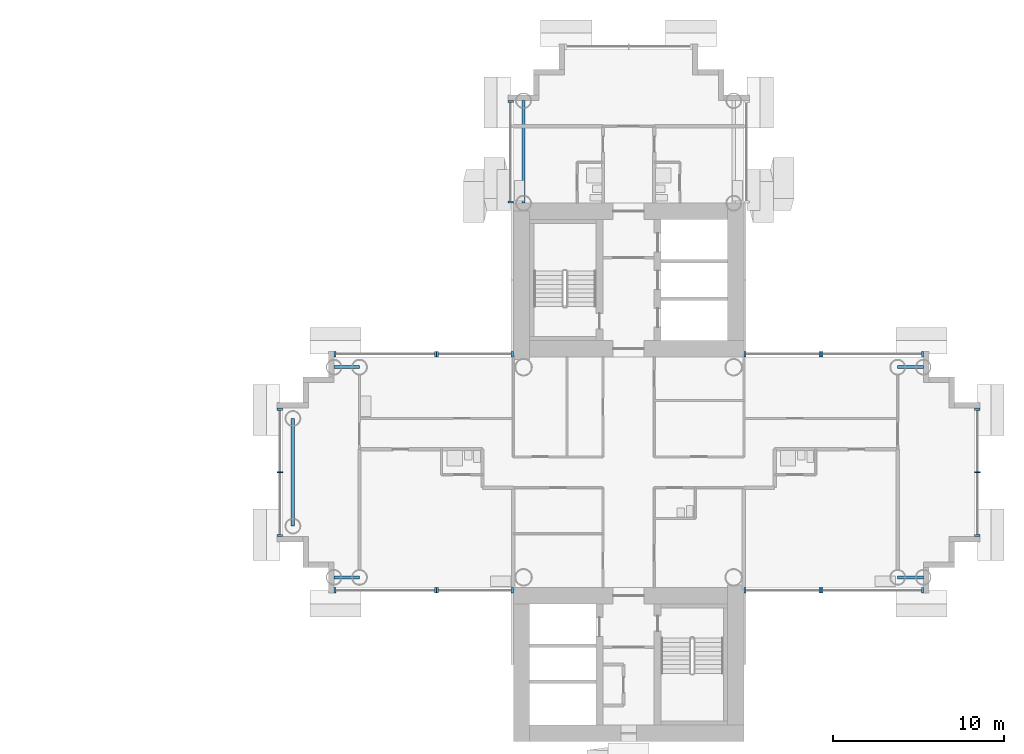
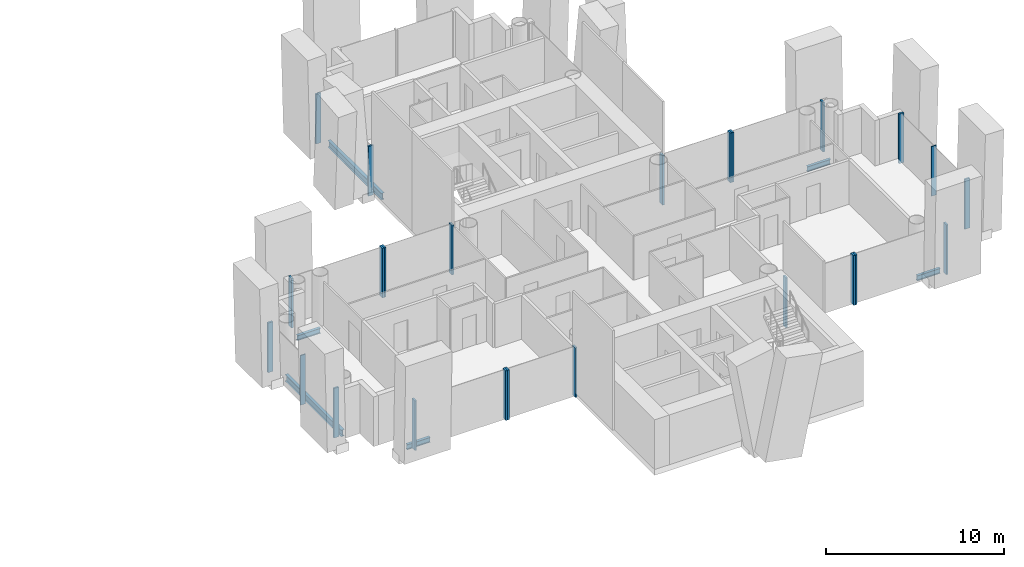
# One storey, part 5 of 20: 24 members, 6 beams, 11 elements without a shape of their own.
"""IFC4 building model written with IfcOpenShell, lengths in metres."""

from ifc_helpers import new_model, si_unit, direction, frame, origin, origin_2d, place, context, subcontext, project, spatial, rectangle, i_section, extrude, material, layer, layer_set, material_profile, profile_set, type_object, element, aggregate, save


model = new_model("IFC4")

# Units and contexts
model_context = context("Model", 3, precision=1e-05, world=origin(), true_north=direction((0.0, 1.0)))
body_context = subcontext(model_context, "Body", "Model", "MODEL_VIEW")
ifc_project = project(units=[si_unit("LENGTHUNIT", "METRE"), si_unit("AREAUNIT", "SQUARE_METRE"), si_unit("VOLUMEUNIT", "CUBIC_METRE"), si_unit("PLANEANGLEUNIT", "RADIAN"), si_unit("MASSUNIT", "GRAM", prefix="KILO")], contexts=[model_context])

# Site, building, storey
site_placement = place(None, origin())
site = spatial("IfcSite", under=ifc_project, at=site_placement, CompositionType="ELEMENT")
building_placement = place(site_placement, origin())
building = spatial("IfcBuilding", under=site, at=building_placement, Name="Ipe Terrace Towers", CompositionType="ELEMENT")
storey_placement = place(building_placement, frame((0.0, 0.0, 100.39990234375)))
storey = spatial("IfcBuildingStorey", under=building, at=storey_placement, Name="L27", CompositionType="ELEMENT", Elevation=100.39990234375)

# Beams
ifc_material_1 = material(Name="Steel S355", Category="steel")
ifc_material_profile_1 = material_profile(ifc_material_1, i_section(OverallWidth=0.175048828125, OverallDepth=0.35009765625, WebThickness=0.007080078125, FlangeThickness=0.010986328125, at=origin_2d()), Name="H-350x175x7x11")
ifc_profile_set_1 = profile_set([ifc_material_profile_1], Name="Steel S355")
beam_type_1 = type_object("IfcBeamType", Name="H04 EDGE BEAM H-350x175x7x11", PredefinedType="BEAM", material=ifc_profile_set_1)
for number, where, z_axis, x_axis, name in (
    (1, (20.25, 6.14990234375, -0.574951171875), (-1.0, 0.0, 0.0), (0.0, -1.0, 0.0), "Edge beam T2-EB-B03-B05"),
    (2, (20.25, -6.14990234375, -0.574951171875), (-1.0, 0.0, 0.0), (0.0, -1.0, 0.0), "Edge beam T2-EB-B04-B06"),
    (3, (51.75, -6.14990234375, -0.574951171875), (1.0, 0.0, 0.0), (0.0, 1.0, 0.0), "Edge beam T2-EB-D03-D05"),
    (4, (51.75, 6.14990234375, -0.574951171875), (1.0, 0.0, 0.0), (0.0, 1.0, 0.0), "Edge beam T2-EB-D04-D06"),
):
    element("IfcBeam", number, at=place(storey_placement, frame(where, z_axis=z_axis, x_axis=x_axis)), inside=storey, type_object=beam_type_1, Name=name, PredefinedType="BEAM", context=body_context, shape_type="SweptSolid", body=[
        extrude(i_section(OverallWidth=0.175048828125, OverallDepth=0.35009765625, WebThickness=0.007080078125, FlangeThickness=0.010986328125, at=origin_2d()), origin(), (0.0, 0.0, 1.0), 1.5),
    ])
ifc_material_2 = material(Name="Steel S355", Category="steel")
ifc_material_profile_2 = material_profile(ifc_material_2, i_section(OverallWidth=0.199951171875, OverallDepth=0.449951171875, WebThickness=0.009033203125, FlangeThickness=0.013916015625, at=origin_2d()), Name="H-450x200x9x14")
ifc_profile_set_2 = profile_set([ifc_material_profile_2], Name="Steel S355")
beam_type_2 = type_object("IfcBeamType", Name="H08 EDGE BEAM H-450x200x9x14", PredefinedType="BEAM", material=ifc_profile_set_2)
beam_1_placement = place(storey_placement, frame((29.85009765625, 15.75, -0.625), z_axis=(0.0, 1.0, 0.0), x_axis=(-1.0, 0.0, 0.0)))
element("IfcBeam", 5, at=beam_1_placement, inside=storey, type_object=beam_type_2, Name="Edge beam T2-EB-A02-A04", PredefinedType="BEAM", context=body_context, shape_type="SweptSolid", body=[
    extrude(i_section(OverallWidth=0.199951171875, OverallDepth=0.449951171875, WebThickness=0.009033203125, FlangeThickness=0.013916015625, at=origin_2d()), origin(), (0.0, 0.0, 1.0), 6.0),
])
beam_2_placement = place(storey_placement, frame((16.35009765625, 3.14990234375, -0.625), z_axis=(0.0, -1.0, 0.0), x_axis=(1.0, 0.0, 0.0)))
element("IfcBeam", 6, at=beam_2_placement, inside=storey, type_object=beam_type_2, Name="Edge beam T2-EB-B07-B08", PredefinedType="BEAM", context=body_context, shape_type="SweptSolid", body=[
    extrude(i_section(OverallWidth=0.199951171875, OverallDepth=0.449951171875, WebThickness=0.009033203125, FlangeThickness=0.013916015625, at=origin_2d()), origin(), (0.0, 0.0, 1.0), 6.2998046875),
])

# Curtain wall, members
ifc_material_3 = material(Name="Aluminium alloy 6063-T6", Category="aluminium")
ifc_layer = layer(ifc_material_3, 0.320068359375)
ifc_layer_set = layer_set([ifc_layer], Name="TOWER UNITISED CURTAIN WALL")
curtain_wall_type = type_object("IfcCurtainWallType", Name="TOWER UNITISED CURTAIN WALL", PredefinedType="NOTDEFINED", material=ifc_layer_set)
curtain_wall_1_placement = place(storey_placement, origin())
curtain_wall_1 = element("IfcCurtainWall", 7, at=curtain_wall_1_placement, inside=storey, type_object=curtain_wall_type, Name="T2-CW-L27-02a curtain wall", PredefinedType="NOTDEFINED")
ifc_material_4 = material(Name="Aluminium alloy 6063-T6", Category="aluminium")
ifc_material_profile_3 = material_profile(ifc_material_4, rectangle(XDim=0.320068359375, YDim=0.1201171875, at=origin_2d()), Name="TOWER UNITISED CORNER MULLION 320 x 120")
ifc_profile_set_3 = profile_set([ifc_material_profile_3], Name="Aluminium alloy 6063-T6")
member_type_1 = type_object("IfcMemberType", Name="TOWER UNITISED CORNER MULLION 320 x 120", PredefinedType="MULLION", material=ifc_profile_set_3)
member_1_placement = place(storey_placement, frame((42.81005859375, -6.909912109375, -0.2998046875), z_axis=(0.0, 0.0, 1.0), x_axis=(0.0, -1.0, 0.0)))
member_1 = element("IfcMember", 8, at=member_1_placement, type_object=member_type_1, Name="T2-CW-L27-02a mullion 1", PredefinedType="MULLION", context=body_context, shape_type="SweptSolid", body=[
    extrude(rectangle(XDim=0.320068359375, YDim=0.1201171875, at=origin_2d()), origin(), (0.0, 0.0, 1.0), 3.39990234375),
])
member_2_placement = place(storey_placement, frame((47.18994140625, -6.909912109375, -0.2998046875), z_axis=(0.0, 0.0, 1.0), x_axis=(0.0, -1.0, 0.0)))
member_2 = element("IfcMember", 9, at=member_2_placement, type_object=member_type_1, Name="T2-CW-L27-02a mullion 2", PredefinedType="MULLION", context=body_context, shape_type="SweptSolid", body=[
    extrude(rectangle(XDim=0.320068359375, YDim=0.1201171875, at=origin_2d()), origin(), (0.0, 0.0, 1.0), 3.39990234375),
])
aggregate(curtain_wall_1, [member_1, member_2])

curtain_wall_2_placement = place(storey_placement, origin())
curtain_wall_2 = element("IfcCurtainWall", 10, at=curtain_wall_2_placement, inside=storey, type_object=curtain_wall_type, Name="T2-CW-L27-03a curtain wall", PredefinedType="NOTDEFINED")
member_3_placement = place(storey_placement, frame((47.31005859375, -6.909912109375, -0.2998046875), z_axis=(0.0, 0.0, 1.0), x_axis=(0.0, -1.0, 0.0)))
member_3 = element("IfcMember", 11, at=member_3_placement, type_object=member_type_1, Name="T2-CW-L27-03a mullion 1", PredefinedType="MULLION", context=body_context, shape_type="SweptSolid", body=[
    extrude(rectangle(XDim=0.320068359375, YDim=0.1201171875, at=origin_2d()), origin(), (0.0, 0.0, 1.0), 3.39990234375),
])
member_4_placement = place(storey_placement, frame((53.18994140625, -6.909912109375, -0.2998046875), z_axis=(0.0, 0.0, 1.0), x_axis=(0.0, -1.0, 0.0)))
member_4 = element("IfcMember", 12, at=member_4_placement, type_object=member_type_1, Name="T2-CW-L27-03a mullion 2", PredefinedType="MULLION", context=body_context, shape_type="SweptSolid", body=[
    extrude(rectangle(XDim=0.320068359375, YDim=0.1201171875, at=origin_2d()), origin(), (0.0, 0.0, 1.0), 3.39990234375),
])
aggregate(curtain_wall_2, [member_3, member_4])

curtain_wall_3_placement = place(storey_placement, origin())
curtain_wall_3 = element("IfcCurtainWall", 13, at=curtain_wall_3_placement, inside=storey, type_object=curtain_wall_type, Name="T2-CW-L27-08a curtain wall", PredefinedType="NOTDEFINED")
member_5_placement = place(storey_placement, frame((56.409912109375, -3.68994140625, -0.2998046875), z_axis=(0.0, 0.0, 1.0), x_axis=(1.0, 0.0, 0.0)))
member_5 = element("IfcMember", 14, at=member_5_placement, type_object=member_type_1, Name="T2-CW-L27-08a mullion 1", PredefinedType="MULLION", context=body_context, shape_type="SweptSolid", body=[
    extrude(rectangle(XDim=0.320068359375, YDim=0.1201171875, at=origin_2d()), origin(), (0.0, 0.0, 1.0), 3.39990234375),
])
member_6_placement = place(storey_placement, frame((56.409912109375, 3.68994140625, -0.2998046875), z_axis=(0.0, 0.0, 1.0), x_axis=(1.0, 0.0, 0.0)))
member_6 = element("IfcMember", 15, at=member_6_placement, type_object=member_type_1, Name="T2-CW-L27-08a mullion 3", PredefinedType="MULLION", context=body_context, shape_type="SweptSolid", body=[
    extrude(rectangle(XDim=0.320068359375, YDim=0.1201171875, at=origin_2d()), origin(), (0.0, 0.0, 1.0), 3.39990234375),
])

curtain_wall_4_placement = place(storey_placement, origin())
curtain_wall_4 = element("IfcCurtainWall", 16, at=curtain_wall_4_placement, inside=storey, type_object=curtain_wall_type, Name="T2-CW-L27-13a curtain wall", PredefinedType="NOTDEFINED")
member_7_placement = place(storey_placement, frame((53.18994140625, 6.909912109375, -0.2998046875), z_axis=(0.0, 0.0, 1.0), x_axis=(0.0, 1.0, 0.0)))
member_7 = element("IfcMember", 17, at=member_7_placement, type_object=member_type_1, Name="T2-CW-L27-13a mullion 1", PredefinedType="MULLION", context=body_context, shape_type="SweptSolid", body=[
    extrude(rectangle(XDim=0.320068359375, YDim=0.1201171875, at=origin_2d()), origin(), (0.0, 0.0, 1.0), 3.39990234375),
])
member_8_placement = place(storey_placement, frame((47.31005859375, 6.909912109375, -0.2998046875), z_axis=(0.0, 0.0, 1.0), x_axis=(0.0, 1.0, 0.0)))
member_8 = element("IfcMember", 18, at=member_8_placement, type_object=member_type_1, Name="T2-CW-L27-13a mullion 2", PredefinedType="MULLION", context=body_context, shape_type="SweptSolid", body=[
    extrude(rectangle(XDim=0.320068359375, YDim=0.1201171875, at=origin_2d()), origin(), (0.0, 0.0, 1.0), 3.39990234375),
])
aggregate(curtain_wall_4, [member_7, member_8])

curtain_wall_5_placement = place(storey_placement, origin())
curtain_wall_5 = element("IfcCurtainWall", 19, at=curtain_wall_5_placement, inside=storey, type_object=curtain_wall_type, Name="T2-CW-L27-14a curtain wall", PredefinedType="NOTDEFINED")
member_9_placement = place(storey_placement, frame((47.18994140625, 6.909912109375, -0.2998046875), z_axis=(0.0, 0.0, 1.0), x_axis=(0.0, 1.0, 0.0)))
member_9 = element("IfcMember", 20, at=member_9_placement, type_object=member_type_1, Name="T2-CW-L27-14a mullion 1", PredefinedType="MULLION", context=body_context, shape_type="SweptSolid", body=[
    extrude(rectangle(XDim=0.320068359375, YDim=0.1201171875, at=origin_2d()), origin(), (0.0, 0.0, 1.0), 3.39990234375),
])
member_10_placement = place(storey_placement, frame((42.81005859375, 6.909912109375, -0.2998046875), z_axis=(0.0, 0.0, 1.0), x_axis=(0.0, 1.0, 0.0)))
member_10 = element("IfcMember", 21, at=member_10_placement, type_object=member_type_1, Name="T2-CW-L27-14a mullion 2", PredefinedType="MULLION", context=body_context, shape_type="SweptSolid", body=[
    extrude(rectangle(XDim=0.320068359375, YDim=0.1201171875, at=origin_2d()), origin(), (0.0, 0.0, 1.0), 3.39990234375),
])
aggregate(curtain_wall_5, [member_9, member_10])

curtain_wall_6_placement = place(storey_placement, origin())
curtain_wall_6 = element("IfcCurtainWall", 22, at=curtain_wall_6_placement, inside=storey, type_object=curtain_wall_type, Name="T2-CW-L27-26a curtain wall", PredefinedType="NOTDEFINED")
member_11_placement = place(storey_placement, frame((29.090087890625, 21.68994140625, -0.2998046875), z_axis=(0.0, 0.0, 1.0), x_axis=(-1.0, 0.0, 0.0)))
member_11 = element("IfcMember", 23, at=member_11_placement, type_object=member_type_1, Name="T2-CW-L27-26a mullion 1", PredefinedType="MULLION", context=body_context, shape_type="SweptSolid", body=[
    extrude(rectangle(XDim=0.320068359375, YDim=0.1201171875, at=origin_2d()), origin(), (0.0, 0.0, 1.0), 3.39990234375),
])
member_12_placement = place(storey_placement, frame((29.090087890625, 15.81103515625, -0.2998046875), z_axis=(0.0, 0.0, 1.0), x_axis=(-1.0, 0.0, 0.0)))
member_12 = element("IfcMember", 24, at=member_12_placement, type_object=member_type_1, Name="T2-CW-L27-26a mullion 2", PredefinedType="MULLION", context=body_context, shape_type="SweptSolid", body=[
    extrude(rectangle(XDim=0.320068359375, YDim=0.1201171875, at=origin_2d()), origin(), (0.0, 0.0, 1.0), 3.39990234375),
])
aggregate(curtain_wall_6, [member_11, member_12])

curtain_wall_7_placement = place(storey_placement, origin())
curtain_wall_7 = element("IfcCurtainWall", 25, at=curtain_wall_7_placement, inside=storey, type_object=curtain_wall_type, Name="T2-CW-L27-28a curtain wall", PredefinedType="NOTDEFINED")
member_13_placement = place(storey_placement, frame((29.18994140625, 6.909912109375, -0.2998046875), z_axis=(0.0, 0.0, 1.0), x_axis=(0.0, 1.0, 0.0)))
member_13 = element("IfcMember", 26, at=member_13_placement, type_object=member_type_1, Name="T2-CW-L27-28a mullion 1", PredefinedType="MULLION", context=body_context, shape_type="SweptSolid", body=[
    extrude(rectangle(XDim=0.320068359375, YDim=0.1201171875, at=origin_2d()), origin(), (0.0, 0.0, 1.0), 3.39990234375),
])
member_14_placement = place(storey_placement, frame((24.81005859375, 6.909912109375, -0.2998046875), z_axis=(0.0, 0.0, 1.0), x_axis=(0.0, 1.0, 0.0)))
member_14 = element("IfcMember", 27, at=member_14_placement, type_object=member_type_1, Name="T2-CW-L27-28a mullion 2", PredefinedType="MULLION", context=body_context, shape_type="SweptSolid", body=[
    extrude(rectangle(XDim=0.320068359375, YDim=0.1201171875, at=origin_2d()), origin(), (0.0, 0.0, 1.0), 3.39990234375),
])
aggregate(curtain_wall_7, [member_13, member_14])

curtain_wall_8_placement = place(storey_placement, origin())
curtain_wall_8 = element("IfcCurtainWall", 28, at=curtain_wall_8_placement, inside=storey, type_object=curtain_wall_type, Name="T2-CW-L27-29a curtain wall", PredefinedType="NOTDEFINED")
member_15_placement = place(storey_placement, frame((24.68994140625, 6.909912109375, -0.2998046875), z_axis=(0.0, 0.0, 1.0), x_axis=(0.0, 1.0, 0.0)))
member_15 = element("IfcMember", 29, at=member_15_placement, type_object=member_type_1, Name="T2-CW-L27-29a mullion 1", PredefinedType="MULLION", context=body_context, shape_type="SweptSolid", body=[
    extrude(rectangle(XDim=0.320068359375, YDim=0.1201171875, at=origin_2d()), origin(), (0.0, 0.0, 1.0), 3.39990234375),
])
member_16_placement = place(storey_placement, frame((18.81005859375, 6.909912109375, -0.2998046875), z_axis=(0.0, 0.0, 1.0), x_axis=(0.0, 1.0, 0.0)))
member_16 = element("IfcMember", 30, at=member_16_placement, type_object=member_type_1, Name="T2-CW-L27-29a mullion 2", PredefinedType="MULLION", context=body_context, shape_type="SweptSolid", body=[
    extrude(rectangle(XDim=0.320068359375, YDim=0.1201171875, at=origin_2d()), origin(), (0.0, 0.0, 1.0), 3.39990234375),
])
aggregate(curtain_wall_8, [member_15, member_16])

curtain_wall_9_placement = place(storey_placement, origin())
curtain_wall_9 = element("IfcCurtainWall", 31, at=curtain_wall_9_placement, inside=storey, type_object=curtain_wall_type, Name="T2-CW-L27-34a curtain wall", PredefinedType="NOTDEFINED")
member_17_placement = place(storey_placement, frame((15.590087890625, 3.68994140625, -0.2998046875), z_axis=(0.0, 0.0, 1.0), x_axis=(-1.0, 0.0, 0.0)))
member_17 = element("IfcMember", 32, at=member_17_placement, type_object=member_type_1, Name="T2-CW-L27-34a mullion 1", PredefinedType="MULLION", context=body_context, shape_type="SweptSolid", body=[
    extrude(rectangle(XDim=0.320068359375, YDim=0.1201171875, at=origin_2d()), origin(), (0.0, 0.0, 1.0), 3.39990234375),
])
member_18_placement = place(storey_placement, frame((15.590087890625, -3.68994140625, -0.2998046875), z_axis=(0.0, 0.0, 1.0), x_axis=(-1.0, 0.0, 0.0)))
member_18 = element("IfcMember", 33, at=member_18_placement, type_object=member_type_1, Name="T2-CW-L27-34a mullion 3", PredefinedType="MULLION", context=body_context, shape_type="SweptSolid", body=[
    extrude(rectangle(XDim=0.320068359375, YDim=0.1201171875, at=origin_2d()), origin(), (0.0, 0.0, 1.0), 3.39990234375),
])

curtain_wall_10_placement = place(storey_placement, origin())
curtain_wall_10 = element("IfcCurtainWall", 34, at=curtain_wall_10_placement, inside=storey, type_object=curtain_wall_type, Name="T2-CW-L27-39a curtain wall", PredefinedType="NOTDEFINED")
member_19_placement = place(storey_placement, frame((18.81005859375, -6.909912109375, -0.2998046875), z_axis=(0.0, 0.0, 1.0), x_axis=(0.0, -1.0, 0.0)))
member_19 = element("IfcMember", 35, at=member_19_placement, type_object=member_type_1, Name="T2-CW-L27-39a mullion 1", PredefinedType="MULLION", context=body_context, shape_type="SweptSolid", body=[
    extrude(rectangle(XDim=0.320068359375, YDim=0.1201171875, at=origin_2d()), origin(), (0.0, 0.0, 1.0), 3.39990234375),
])
member_20_placement = place(storey_placement, frame((24.68994140625, -6.909912109375, -0.2998046875), z_axis=(0.0, 0.0, 1.0), x_axis=(0.0, -1.0, 0.0)))
member_20 = element("IfcMember", 36, at=member_20_placement, type_object=member_type_1, Name="T2-CW-L27-39a mullion 2", PredefinedType="MULLION", context=body_context, shape_type="SweptSolid", body=[
    extrude(rectangle(XDim=0.320068359375, YDim=0.1201171875, at=origin_2d()), origin(), (0.0, 0.0, 1.0), 3.39990234375),
])
aggregate(curtain_wall_10, [member_19, member_20])

curtain_wall_11_placement = place(storey_placement, origin())
curtain_wall_11 = element("IfcCurtainWall", 37, at=curtain_wall_11_placement, inside=storey, type_object=curtain_wall_type, Name="T2-CW-L27-40a curtain wall", PredefinedType="NOTDEFINED")
member_21_placement = place(storey_placement, frame((24.81005859375, -6.909912109375, -0.2998046875), z_axis=(0.0, 0.0, 1.0), x_axis=(0.0, -1.0, 0.0)))
member_21 = element("IfcMember", 38, at=member_21_placement, type_object=member_type_1, Name="T2-CW-L27-40a mullion 1", PredefinedType="MULLION", context=body_context, shape_type="SweptSolid", body=[
    extrude(rectangle(XDim=0.320068359375, YDim=0.1201171875, at=origin_2d()), origin(), (0.0, 0.0, 1.0), 3.39990234375),
])
member_22_placement = place(storey_placement, frame((29.18994140625, -6.909912109375, -0.2998046875), z_axis=(0.0, 0.0, 1.0), x_axis=(0.0, -1.0, 0.0)))
member_22 = element("IfcMember", 39, at=member_22_placement, type_object=member_type_1, Name="T2-CW-L27-40a mullion 2", PredefinedType="MULLION", context=body_context, shape_type="SweptSolid", body=[
    extrude(rectangle(XDim=0.320068359375, YDim=0.1201171875, at=origin_2d()), origin(), (0.0, 0.0, 1.0), 3.39990234375),
])
aggregate(curtain_wall_11, [member_21, member_22])

# Member
ifc_material_5 = material(Name="Aluminium alloy 6063-T6", Category="aluminium")
ifc_material_profile_4 = material_profile(ifc_material_5, rectangle(XDim=0.320068359375, YDim=0.06494140625, at=origin_2d()), Name="TOWER UNITISED MULLION 320 x 65")
ifc_profile_set_4 = profile_set([ifc_material_profile_4], Name="Aluminium alloy 6063-T6")
member_type_2 = type_object("IfcMemberType", Name="TOWER UNITISED MULLION 320 x 65", PredefinedType="MULLION", material=ifc_profile_set_4)
member_23_placement = place(storey_placement, frame((56.409912109375, 0.0, -0.2998046875), z_axis=(0.0, 0.0, 1.0), x_axis=(1.0, 0.0, 0.0)))
member_23 = element("IfcMember", 40, at=member_23_placement, type_object=member_type_2, Name="T2-CW-L27-08a mullion 2", PredefinedType="MULLION", context=body_context, shape_type="SweptSolid", body=[
    extrude(rectangle(XDim=0.320068359375, YDim=0.06494140625, at=origin_2d()), origin(), (0.0, 0.0, 1.0), 3.39990234375),
])

aggregate(curtain_wall_3, [member_5, member_23, member_6])

member_24_placement = place(storey_placement, frame((15.590087890625, 0.0, -0.2998046875), z_axis=(0.0, 0.0, 1.0), x_axis=(-1.0, 0.0, 0.0)))
member_24 = element("IfcMember", 41, at=member_24_placement, type_object=member_type_2, Name="T2-CW-L27-34a mullion 2", PredefinedType="MULLION", context=body_context, shape_type="SweptSolid", body=[
    extrude(rectangle(XDim=0.320068359375, YDim=0.06494140625, at=origin_2d()), origin(), (0.0, 0.0, 1.0), 3.39990234375),
])

aggregate(curtain_wall_9, [member_17, member_24, member_18])

save(model, "model.ifc")
